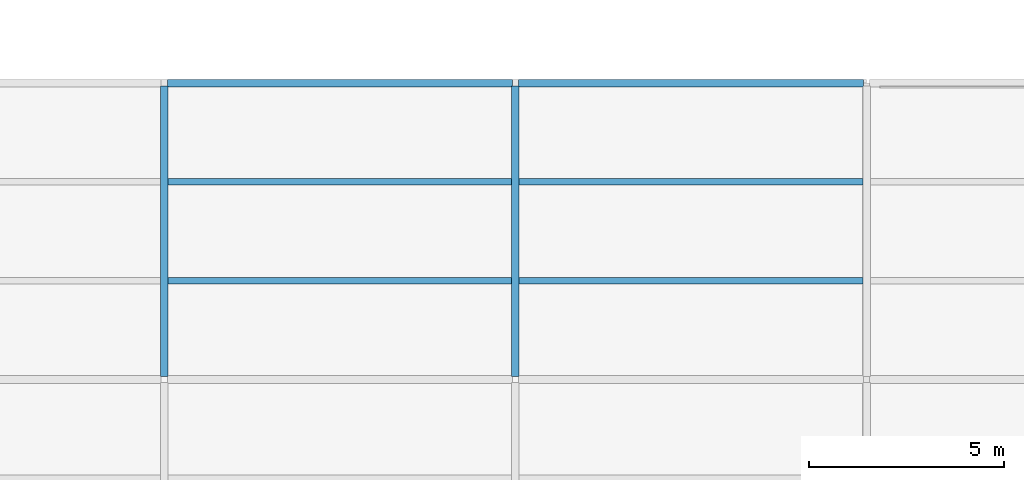
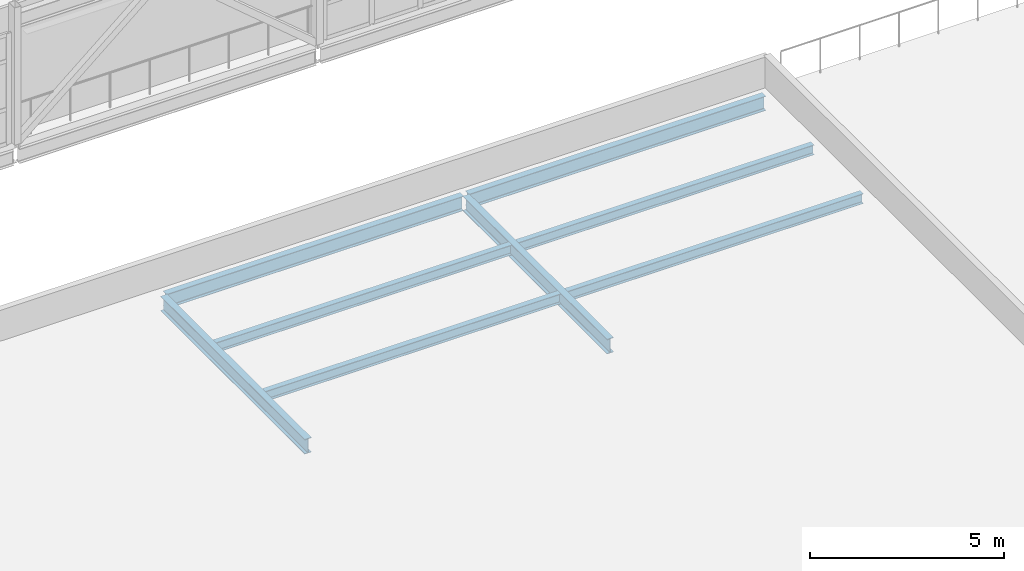
# One storey, part 27 of 166: 8 beams.
"""IFC4 building model written with IfcOpenShell, lengths in metres."""

from ifc_helpers import new_model, si_unit, direction, frame, origin, origin_2d, place, context, subcontext, project, spatial, i_section, extrude, material, material_profile, profile_set, type_object, element, save


model = new_model("IFC4")

# Units and contexts
model_context = context("Model", 3, precision=1e-05, world=origin(), true_north=direction((0.0, 1.0)))
body_context = subcontext(model_context, "Body", "Model", "MODEL_VIEW")
ifc_project = project(units=[si_unit("LENGTHUNIT", "METRE"), si_unit("AREAUNIT", "SQUARE_METRE"), si_unit("VOLUMEUNIT", "CUBIC_METRE"), si_unit("PLANEANGLEUNIT", "RADIAN"), si_unit("MASSUNIT", "GRAM", prefix="KILO")], contexts=[model_context])

# Site, building, storey
site_placement = place(None, origin())
site = spatial("IfcSite", under=ifc_project, at=site_placement, CompositionType="ELEMENT")
building_placement = place(site_placement, origin())
building = spatial("IfcBuilding", under=site, at=building_placement, Name="Caisbarro Railhouse Central Library", CompositionType="ELEMENT")
storey_placement = place(building_placement, frame((0.0, 0.0, 9.360107421875)))
storey = spatial("IfcBuildingStorey", under=building, at=storey_placement, Name="L02", CompositionType="ELEMENT", Elevation=9.360107421875)

# Beams
ifc_material = material(Name="Steel ASTM A572 Grade 50", Category="steel")
ifc_material_profile_1 = material_profile(ifc_material, i_section(OverallWidth=0.194091796875, OverallDepth=0.468994140625, WebThickness=0.0126953125, FlangeThickness=0.0205078125, FilletRadius=0.01806640625, at=origin_2d()), Name="W460X106.0")
ifc_profile_set_1 = profile_set([ifc_material_profile_1], Name="Steel ASTM A572 Grade 50")
beam_type_1 = type_object("IfcBeamType", Name="BM-G07", PredefinedType="BEAM", material=ifc_profile_set_1)
for number, where, z_axis, x_axis, name in (
    (1, (18.0, 15.280029296875, -0.41455078125), (0.0, 1.0, 0.0), (-1.0, 0.0, 0.0), "G07 beam L02 #2277"),
    (2, (27.0, 15.280029296875, -0.41455078125), (0.0, 1.0, 0.0), (-1.0, 0.0, 0.0), "G07 beam L02 #2280"),
):
    element("IfcBeam", number, at=place(storey_placement, frame(where, z_axis=z_axis, x_axis=x_axis)), inside=storey, type_object=beam_type_1, Name=name, PredefinedType="BEAM", context=body_context, shape_type="SweptSolid", body=[
        extrude(i_section(OverallWidth=0.194091796875, OverallDepth=0.468994140625, WebThickness=0.0126953125, FlangeThickness=0.0205078125, FilletRadius=0.01806640625, at=origin_2d()), origin(), (0.0, 0.0, 1.0), 7.43994140625),
    ])
ifc_material_profile_2 = material_profile(ifc_material, i_section(OverallWidth=0.1669921875, OverallDepth=0.31689453125, WebThickness=0.007568359375, FlangeThickness=0.01318359375, FilletRadius=0.011962890625, at=origin_2d()), Name="W310X52.0")
ifc_profile_set_2 = profile_set([ifc_material_profile_2], Name="Steel ASTM A572 Grade 50")
beam_type_2 = type_object("IfcBeamType", Name="BM-J02", PredefinedType="JOIST", material=ifc_profile_set_2)
for number, where, z_axis, x_axis, name in (
    (3, (18.096923828125, 17.7333984375, -0.338623046875), (1.0, 0.0, 0.0), (0.0, 1.0, 0.0), "J02 beam L02 #2297"),
    (4, (18.096923828125, 20.2666015625, -0.338623046875), (1.0, 0.0, 0.0), (0.0, 1.0, 0.0), "J02 beam L02 #2298"),
    (5, (27.096923828125, 17.7333984375, -0.338623046875), (1.0, 0.0, 0.0), (0.0, 1.0, 0.0), "J02 beam L02 #2303"),
    (6, (27.096923828125, 20.2666015625, -0.338623046875), (1.0, 0.0, 0.0), (0.0, 1.0, 0.0), "J02 beam L02 #2304"),
):
    element("IfcBeam", number, at=place(storey_placement, frame(where, z_axis=z_axis, x_axis=x_axis)), inside=storey, type_object=beam_type_2, Name=name, PredefinedType="JOIST", context=body_context, shape_type="SweptSolid", body=[
        extrude(i_section(OverallWidth=0.1669921875, OverallDepth=0.31689453125, WebThickness=0.007568359375, FlangeThickness=0.01318359375, FilletRadius=0.011962890625, at=origin_2d()), origin(), (0.0, 0.0, 1.0), 8.80615234375),
    ])
ifc_material_profile_3 = material_profile(ifc_material, i_section(OverallWidth=0.18994140625, OverallDepth=0.45703125, WebThickness=0.009033203125, FlangeThickness=0.014404296875, FilletRadius=0.01806640625, at=origin_2d()), Name="W460X74.0")
ifc_profile_set_3 = profile_set([ifc_material_profile_3], Name="Steel ASTM A572 Grade 50")
beam_type_3 = type_object("IfcBeamType", Name="BM-SP01", PredefinedType="SPANDREL", material=ifc_profile_set_3)
for number, where, z_axis, x_axis, name in (
    (7, (18.080078125, 22.800048828125, -0.40869140625), (1.0, 0.0, 0.0), (0.0, 1.0, 0.0), "SP01 beam L02 #2267"),
    (8, (27.080078125, 22.800048828125, -0.40869140625), (1.0, 0.0, 0.0), (0.0, 1.0, 0.0), "SP01 beam L02 #2268"),
):
    element("IfcBeam", number, at=place(storey_placement, frame(where, z_axis=z_axis, x_axis=x_axis)), inside=storey, type_object=beam_type_3, Name=name, PredefinedType="SPANDREL", context=body_context, shape_type="SweptSolid", body=[
        extrude(i_section(OverallWidth=0.18994140625, OverallDepth=0.45703125, WebThickness=0.009033203125, FlangeThickness=0.014404296875, FilletRadius=0.01806640625, at=origin_2d()), origin(), (0.0, 0.0, 1.0), 8.83984375),
    ])

save(model, "model.ifc")
